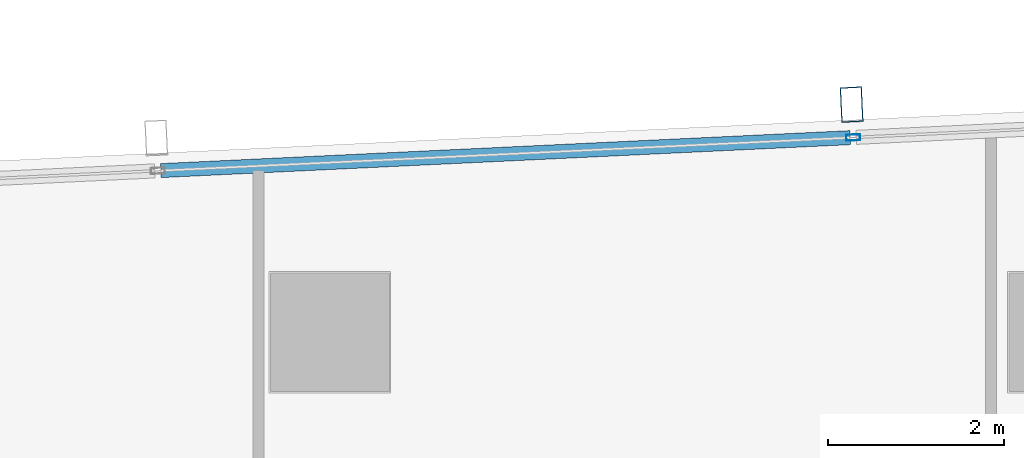
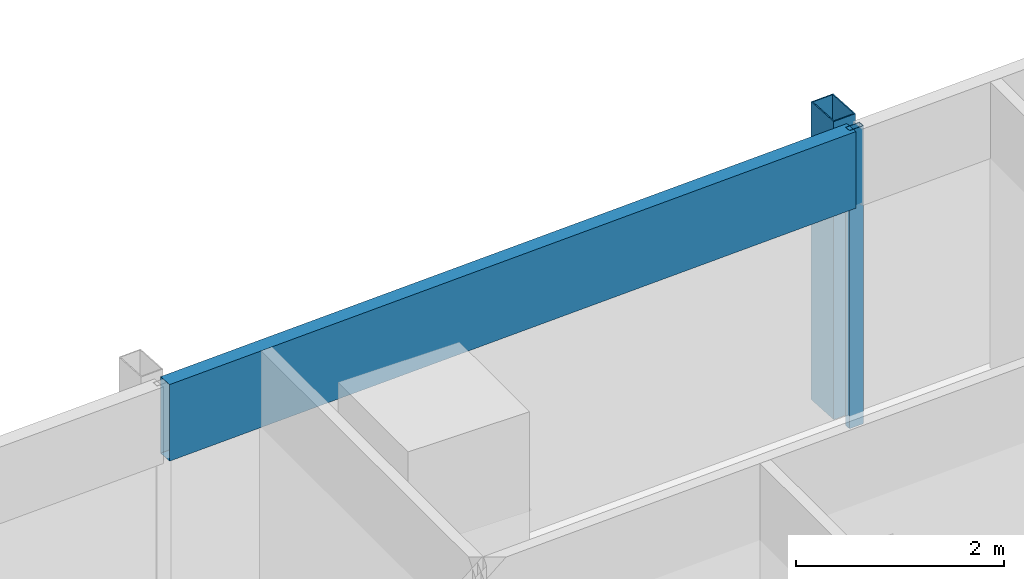
# One storey, part 18 of 38: 3 members, 1 element without a shape of its own.
"""IFC4 building model written with IfcOpenShell, lengths in metres."""

from ifc_helpers import new_model, si_unit, direction, frame, origin, origin_2d, place, context, subcontext, project, spatial, hollow_rectangle, extrude, material, material_profile, profile_set, type_object, element, aggregate, save


model = new_model("IFC4")

# Units and contexts
model_context = context("Model", 3, precision=1e-05, world=origin(), true_north=direction((0.0, 1.0)))
body_context = subcontext(model_context, "Body", "Model", "MODEL_VIEW")
ifc_project = project(units=[si_unit("LENGTHUNIT", "METRE"), si_unit("AREAUNIT", "SQUARE_METRE"), si_unit("VOLUMEUNIT", "CUBIC_METRE"), si_unit("PLANEANGLEUNIT", "RADIAN"), si_unit("MASSUNIT", "GRAM", prefix="KILO")], contexts=[model_context])

# Site, building, storey
site_placement = place(None, origin())
site = spatial("IfcSite", under=ifc_project, at=site_placement, CompositionType="ELEMENT")
building_placement = place(site_placement, origin())
building = spatial("IfcBuilding", under=site, at=building_placement, Name="Rekha Terrace Tower", CompositionType="ELEMENT")
storey_placement = place(building_placement, frame((0.0, 0.0, 202.699951171875)))
storey = spatial("IfcBuildingStorey", under=building, at=storey_placement, Name="L51", CompositionType="ELEMENT", Elevation=202.699951171875)

# Curtain wall, members
ifc_material_1 = material(Name="Aluminium framing", Category="aluminium")
curtain_wall_type = type_object("IfcCurtainWallType", Name="CW3 north unitised glazing", PredefinedType="USERDEFINED", material=ifc_material_1)
curtain_wall_placement = place(storey_placement, origin())
curtain_wall = element("IfcCurtainWall", 1, at=curtain_wall_placement, inside=storey, type_object=curtain_wall_type, Name="CW3 unitised curtain wall", ObjectType="UNITISED CURTAIN WALL", PredefinedType="USERDEFINED")
ifc_material_2 = material(Name="Steel S355 with fluorocarbon finish", Category="steel")
ifc_material_profile_1 = material_profile(ifc_material_2, hollow_rectangle(XDim=0.25, YDim=0.39990234375, WallThickness=0.012451171875, at=origin_2d()), Name="RHS400x250x12.5")
ifc_profile_set_1 = profile_set([ifc_material_profile_1], Name="Steel S355 with fluorocarbon finish")
member_type_1 = type_object("IfcMemberType", Name="BL1 facade blade RHS 400 x 250", PredefinedType="USERDEFINED", material=ifc_profile_set_1)
member_1_placement = place(storey_placement, frame((22.734130859375, 61.389404296875, 0.0), z_axis=(0.0, 0.0, 1.0), x_axis=(-0.998858913274, -0.04775846913, 0.0)))
member_1 = element("IfcMember", 2, at=member_1_placement, type_object=member_type_1, Name="Facade blade", ObjectType="FACADE BLADE", PredefinedType="USERDEFINED", context=body_context, shape_type="SweptSolid", body=[
    extrude(hollow_rectangle(XDim=0.25, YDim=0.39990234375, WallThickness=0.012451171875, at=origin_2d()), origin(), (0.0, 0.0, 1.0), 3.5),
])
ifc_material_3 = material(Name="Aluminium mullion section", Category="aluminium")
ifc_material_profile_2 = material_profile(ifc_material_3, hollow_rectangle(XDim=0.070068359375, YDim=0.159912109375, WallThickness=0.00390625, at=origin_2d()), Name="AL RHS 70x160")
ifc_profile_set_2 = profile_set([ifc_material_profile_2], Name="Aluminium mullion section")
member_type_2 = type_object("IfcMemberType", Name="CW3 mullion RHS 70 x 160", PredefinedType="MULLION", material=ifc_profile_set_2)
member_2_placement = place(storey_placement, frame((22.751953125, 61.014892578125, 0.0), z_axis=(0.0, 0.0, 1.0), x_axis=(0.047758616983, -0.998858906204, 0.0)))
member_2 = element("IfcMember", 3, at=member_2_placement, type_object=member_type_2, Name="CW3 mullion 4", PredefinedType="MULLION", context=body_context, shape_type="SweptSolid", body=[
    extrude(hollow_rectangle(XDim=0.070068359375, YDim=0.159912109375, WallThickness=0.00390625, at=origin_2d()), origin(), (0.0, 0.0, 1.0), 3.5),
])
ifc_material_4 = material(Name="Insulated aluminium spandrel box", Category="aluminium")
ifc_material_profile_3 = material_profile(ifc_material_4, hollow_rectangle(XDim=0.159912109375, YDim=0.89990234375, WallThickness=0.0029296875, at=origin_2d()), Name="AL SPANDREL BOX 160x900")
ifc_profile_set_3 = profile_set([ifc_material_profile_3], Name="Insulated aluminium spandrel box")
member_type_3 = type_object("IfcMemberType", Name="CW3 spandrel transom 160 x 900", PredefinedType="USERDEFINED", material=ifc_profile_set_3)
member_3_placement = place(storey_placement, frame((22.717041015625, 61.01318359375, 3.050048828125), z_axis=(-0.998859252362, -0.047751376635, 0.0), x_axis=(0.047751376635, -0.998859252362, 0.0)))
member_3 = element("IfcMember", 4, at=member_3_placement, type_object=member_type_3, Name="CW3 spandrel transom 4", ObjectType="TRANSOM", PredefinedType="USERDEFINED", context=body_context, shape_type="SweptSolid", body=[
    extrude(hollow_rectangle(XDim=0.159912109375, YDim=0.89990234375, WallThickness=0.0029296875, at=origin_2d()), origin(), (0.0, 0.0, 1.0), 7.84814453125),
])
aggregate(curtain_wall, [member_2, member_3, member_1])

save(model, "model.ifc")
